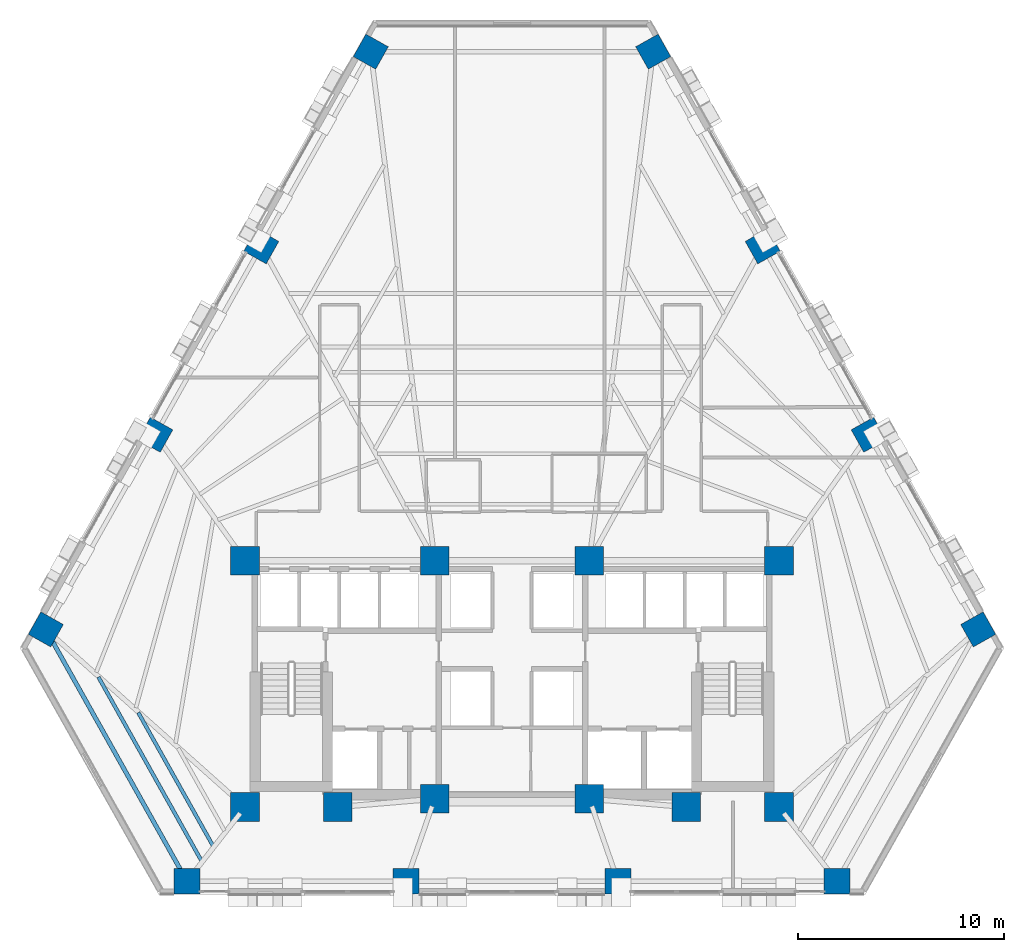
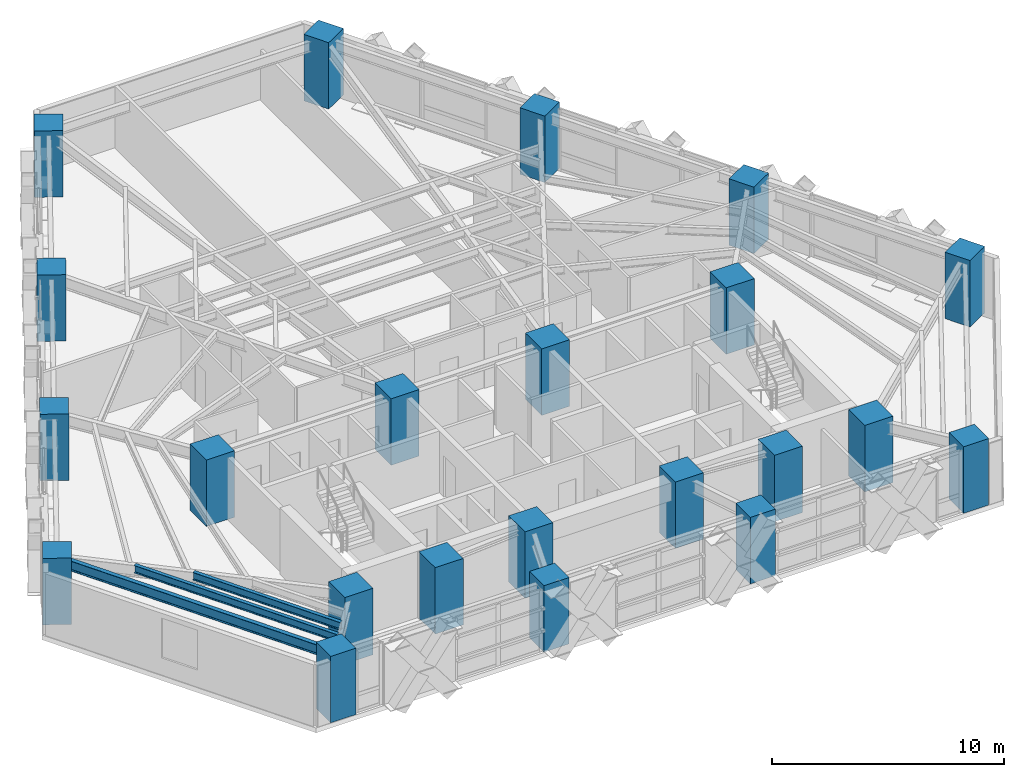
# One storey, part 1 of 13: 22 columns, 3 beams.
"""IFC4 building model written with IfcOpenShell, lengths in metres."""

import ifcopenshell
import ifcopenshell.guid

model = None  # the IFC model being written
_history = None  # IfcOwnerHistory: only IFC2X3 demands one
_inside = {}  # id of a spatial element -> (the spatial element, [elements in it])
_under = {}  # id of a project, library or spatial element -> (it, [spatial elements below it])
_declared = {}  # id of a project -> (the project, [libraries it declares])
_typed = {}  # id of a type object -> (the type object, [elements of that type])
_made_of = {}  # id of a material, layer set ... -> (it, [elements and type objects made of it])


def new_model(schema):
    """Start an empty IFC model of exactly this schema.

    Asked for "IFC4X3", IfcOpenShell would pick the latest addendum, in which some entities
    have other attributes; the version numbers below select the first issue.
    IFC2X3 requires an IfcOwnerHistory on every rooted entity: one is made here for all.
    """
    global model, _history
    if schema == "IFC4X3":
        model = ifcopenshell.file(schema_version=(4, 3, 0, 0))
    else:
        model = ifcopenshell.file(schema=schema)
    _inside.clear()
    _under.clear()
    _declared.clear()
    _typed.clear()
    _made_of.clear()
    _history = None
    if model.schema == "IFC2X3":
        org = make("IfcOrganization", Name="unknown")
        user = make(
            "IfcPersonAndOrganization",
            ThePerson=make("IfcPerson", FamilyName="unknown"),
            TheOrganization=org,
        )
        app = make(
            "IfcApplication",
            ApplicationDeveloper=org,
            Version="unknown",
            ApplicationFullName="unknown",
            ApplicationIdentifier="unknown",
        )
        _history = make(
            "IfcOwnerHistory",
            OwningUser=user,
            OwningApplication=app,
            ChangeAction="ADDED",
            CreationDate=0,
        )
    return model


def make(cls, **values):
    """One entity of the class cls with the attributes given. An attribute that is None is left unset."""
    return model.create_entity(
        cls, **{name: value for name, value in values.items() if value is not None}
    )


def rooted(cls, **values):
    """An entity with a GlobalId (a new one), such as an element, a storey or a relation."""
    return make(cls, GlobalId=ifcopenshell.guid.new(), OwnerHistory=_history, **values)


def si_unit(unit_type, name, prefix=None):
    """IfcSIUnit, for example si_unit("LENGTHUNIT", "METRE", prefix="MILLI")."""
    return make("IfcSIUnit", UnitType=unit_type, Prefix=prefix, Name=name)


def assignment(units):
    """IfcUnitAssignment: the units of a project."""
    return None if units is None else make("IfcUnitAssignment", Units=units)


def point(xyz):
    """IfcCartesianPoint."""
    return None if xyz is None else make("IfcCartesianPoint", Coordinates=xyz)


def direction(xyz):
    """IfcDirection."""
    return None if xyz is None else make("IfcDirection", DirectionRatios=xyz)


def frame(location, z_axis=None, x_axis=None):
    """IfcAxis2Placement3D, a coordinate frame: its origin and axes. An axis left out is left unset."""
    return make(
        "IfcAxis2Placement3D",
        Location=point(location),
        Axis=direction(z_axis),
        RefDirection=direction(x_axis),
    )


def frame_2d(location, x_axis=None):
    """IfcAxis2Placement2D, a coordinate frame in the plane: its origin and x axis."""
    return make(
        "IfcAxis2Placement2D", Location=point(location), RefDirection=direction(x_axis)
    )


def origin():
    """The frame at (0, 0, 0) with its axes left unset."""
    return frame((0.0, 0.0, 0.0))


def origin_2d():
    """The frame at (0, 0) in the plane with its x axis left unset."""
    return frame_2d((0.0, 0.0))


def place(relative_to, where):
    """IfcLocalPlacement: puts the frame where relative to a parent placement (None: the world)."""
    return make(
        "IfcLocalPlacement", PlacementRelTo=relative_to, RelativePlacement=where
    )


def context(
    kind, dimensions, precision=None, world=None, true_north=None, identifier=None
):
    """IfcGeometricRepresentationContext, for example the 3D "Model" context."""
    return make(
        "IfcGeometricRepresentationContext",
        ContextIdentifier=identifier,
        ContextType=kind,
        CoordinateSpaceDimension=dimensions,
        Precision=precision,
        WorldCoordinateSystem=world,
        TrueNorth=true_north,
    )


def subcontext(parent, identifier, kind, view, scale=None):
    """IfcGeometricRepresentationSubContext, for example "Body" below "Model"."""
    return make(
        "IfcGeometricRepresentationSubContext",
        ContextIdentifier=identifier,
        ContextType=kind,
        ParentContext=parent,
        TargetScale=scale,
        TargetView=view,
    )


def project(units=None, contexts=None):
    """IfcProject with its units and contexts."""
    return rooted(
        "IfcProject",
        Name="project",
        RepresentationContexts=contexts,
        UnitsInContext=assignment(units),
    )


def spatial(cls, under=None, at=None, **own):
    """A site, building, storey or space (cls), placed at a placement, below another one or the project."""
    s = rooted(cls, ObjectPlacement=at, **own)
    if under is not None:
        _under.setdefault(under.id(), (under, []))[1].append(s)
    return s


def profile(cls, at=None, kind="AREA", **sizes):
    """A parametric profile (cls). Its sizes go by their IFC names, for example OverallWidth=200.0."""
    return make(cls, ProfileType=kind, Position=at, **sizes)


def rectangle(**sizes):
    """IfcRectangleProfileDef."""
    return profile("IfcRectangleProfileDef", **sizes)


def i_section(**sizes):
    """IfcIShapeProfileDef."""
    return profile("IfcIShapeProfileDef", **sizes)


def extrude(swept, where, along, depth):
    """IfcExtrudedAreaSolid: the profile swept, set in the frame where, extruded along a direction by depth."""
    return make(
        "IfcExtrudedAreaSolid",
        SweptArea=swept,
        Position=where,
        ExtrudedDirection=direction(along),
        Depth=depth,
    )


def shape(context_of_items, identifier, shape_type, items):
    """IfcShapeRepresentation: the items that make up one representation, for example the "Body"."""
    return make(
        "IfcShapeRepresentation",
        ContextOfItems=context_of_items,
        RepresentationIdentifier=identifier,
        RepresentationType=shape_type,
        Items=items,
    )


def material(Name=None, Category=None):
    """IfcMaterial."""
    return make("IfcMaterial", Name=Name, Category=Category)


def material_profile(
    of_material, cross_section, Name=None, Category=None, Priority=None
):
    """IfcMaterialProfile: a cross section and its material."""
    return make(
        "IfcMaterialProfile",
        Name=Name,
        Material=of_material,
        Profile=cross_section,
        Priority=Priority,
        Category=Category,
    )


def profile_set(profiles, Name=None, composite=None):
    """IfcMaterialProfileSet."""
    return make(
        "IfcMaterialProfileSet",
        Name=Name,
        MaterialProfiles=profiles,
        CompositeProfile=composite,
    )


def made_of(thing, what):
    """Note that an element or type object is made of a material, layer set ...; save() writes the relation."""
    if what is not None:
        _made_of.setdefault(what.id(), (what, []))[1].append(thing)
    return thing


def type_object(cls, material=None, **own):
    """A type object (cls), such as IfcWallType, which elements share."""
    return made_of(rooted(cls, **own), material)


def element(
    cls,
    number,
    at=None,
    inside=None,
    cuts=None,
    type_object=None,
    material=None,
    context=None,
    identifier="Body",
    shape_type=None,
    held_by="IfcProductDefinitionShape",
    body=None,
    shapes=None,
    **own,
):
    """One element of the class cls, such as IfcWall. Its Tag is "e" and its number.

    at: its placement. inside: the storey or other place that contains it. cuts: it is an
    opening in that element (IfcRelVoidsElement). A single representation is given by context,
    identifier, shape_type and body (its items); several are given by shapes. held_by: the class
    of the entity that holds the representations. save() writes the other relations.
    """
    e = rooted(cls, Tag="e%d" % number, ObjectPlacement=at, **own)
    if body is not None:
        shapes = [shape(context, identifier, shape_type, body)]
    if shapes is not None:
        e.Representation = make(held_by, Representations=shapes)
    if inside is not None:
        _inside.setdefault(inside.id(), (inside, []))[1].append(e)
    if cuts is not None:
        rooted(
            "IfcRelVoidsElement", RelatingBuildingElement=cuts, RelatedOpeningElement=e
        )
    if type_object is not None:
        _typed.setdefault(type_object.id(), (type_object, []))[1].append(e)
    return made_of(e, material)


def aggregate(whole, parts):
    """IfcRelAggregates: a whole, such as a stair, and the parts it consists of."""
    return rooted("IfcRelAggregates", RelatingObject=whole, RelatedObjects=parts)


def save(model, path):
    """Write the relations noted so far, then the file.

    IfcRelAggregates (storeys below a building ...), IfcRelContainedInSpatialStructure (elements
    in a storey), IfcRelDefinesByType, IfcRelAssociatesMaterial and IfcRelDeclares: one each for
    every whole, place, type object, material and project.
    """
    for whole, parts in _under.values():
        aggregate(whole, parts)
    for where, things in _inside.values():
        rooted(
            "IfcRelContainedInSpatialStructure",
            RelatedElements=things,
            RelatingStructure=where,
        )
    for kind, things in _typed.values():
        rooted("IfcRelDefinesByType", RelatedObjects=things, RelatingType=kind)
    for what, things in _made_of.values():
        rooted("IfcRelAssociatesMaterial", RelatedObjects=things, RelatingMaterial=what)
    for by, libraries in _declared.values():
        rooted("IfcRelDeclares", RelatingContext=by, RelatedDefinitions=libraries)
    model.write(path)


model = new_model("IFC4")

# Units and contexts
model_context = context("Model", 3, precision=1e-05, world=origin(), true_north=direction((0.0, 1.0)))
body_context = subcontext(model_context, "Body", "Model", "MODEL_VIEW")
ifc_project = project(units=[si_unit("LENGTHUNIT", "METRE"), si_unit("AREAUNIT", "SQUARE_METRE"), si_unit("VOLUMEUNIT", "CUBIC_METRE"), si_unit("PLANEANGLEUNIT", "RADIAN"), si_unit("MASSUNIT", "GRAM", prefix="KILO")], contexts=[model_context])

# Site, building, storey
site_placement = place(None, origin())
site = spatial("IfcSite", under=ifc_project, at=site_placement, CompositionType="ELEMENT")
building_placement = place(site_placement, origin())
building = spatial("IfcBuilding", under=site, at=building_placement, Name="Quenlor Broadcast Tower", CompositionType="ELEMENT")
storey_placement = place(building_placement, frame((0.0, 0.0, 62.60009765625)))
storey = spatial("IfcBuildingStorey", under=building, at=storey_placement, Name="L16", CompositionType="ELEMENT", Elevation=62.60009765625)

# Columns
ifc_material_1 = material(Name="Concrete C65/80", Category="concrete")
ifc_material_profile_1 = material_profile(ifc_material_1, rectangle(XDim=1.39990234375, YDim=1.39990234375, at=origin_2d()))
ifc_profile_set_1 = profile_set([ifc_material_profile_1], Name="Concrete C65/80 RC1400x1400")
column_type_1 = type_object("IfcColumnType", Name="Core Corner Column Lower Concrete C65/80 1400", PredefinedType="COLUMN", material=ifc_profile_set_1)
for number, where, z_axis, x_axis, name in (
    (1, (-12.949951171875, -16.75, 0.0), (0.0, 0.0, 1.0), (1.0, 0.0, 0.0), "L16 Core Column CC1"),
    (2, (-8.449951171875, -16.75, 0.0), (0.0, 0.0, 1.0), (1.0, 0.0, 0.0), "L16 Core Column CC2"),
    (3, (-3.75, -16.35009765625, 0.0), (0.0, 0.0, 1.0), (1.0, 0.0, 0.0), "L16 Core Column CC3"),
    (4, (3.75, -16.35009765625, 0.0), (0.0, 0.0, 1.0), (1.0, 0.0, 0.0), "L16 Core Column CC4"),
    (5, (8.449951171875, -16.75, 0.0), (0.0, 0.0, 1.0), (1.0, 0.0, 0.0), "L16 Core Column CC5"),
    (6, (12.949951171875, -16.75, 0.0), (0.0, 0.0, 1.0), (1.0, 0.0, 0.0), "L16 Core Column CC6"),
    (7, (-12.949951171875, -4.800048828125, 0.0), (0.0, 0.0, 1.0), (1.0, 0.0, 0.0), "L16 Core Column CC7"),
    (8, (-3.75, -4.800048828125, 0.0), (0.0, 0.0, 1.0), (1.0, 0.0, 0.0), "L16 Core Column CC8"),
    (9, (3.75, -4.800048828125, 0.0), (0.0, 0.0, 1.0), (1.0, 0.0, 0.0), "L16 Core Column CC9"),
    (10, (12.949951171875, -4.800048828125, 0.0), (0.0, 0.0, 1.0), (1.0, 0.0, 0.0), "L16 Core Column CC10"),
):
    element("IfcColumn", number, at=place(storey_placement, frame(where, z_axis=z_axis, x_axis=x_axis)), inside=storey, type_object=column_type_1, Name=name, PredefinedType="COLUMN", context=body_context, shape_type="SweptSolid", body=[
        extrude(rectangle(XDim=1.39990234375, YDim=1.39990234375, at=origin_2d()), origin(), (0.0, 0.0, 1.0), 3.5),
    ])
ifc_material_2 = material(Name="Concrete C65/80", Category="concrete")
ifc_material_profile_2 = material_profile(ifc_material_2, rectangle(XDim=1.25, YDim=1.25, at=origin_2d()))
ifc_profile_set_2 = profile_set([ifc_material_profile_2], Name="Concrete C65/80 RC1250x1250")
column_type_2 = type_object("IfcColumnType", Name="Tower Perimeter Column Z1 Concrete C65/80 1250", PredefinedType="COLUMN", material=ifc_profile_set_2)
for number, where, z_axis, x_axis, name in (
    (11, (-15.76513671875, -20.35009765625, 0.0), (0.0, 0.0, 1.0), (0.0, 1.0, 0.0), "L16 Perimeter Column S1"),
    (12, (-5.140869140625, -20.35009765625, 0.0), (0.0, 0.0, 1.0), (0.0, 1.0, 0.0), "L16 Perimeter Column S2"),
    (13, (5.140869140625, -20.35009765625, 0.0), (0.0, 0.0, 1.0), (0.0, 1.0, 0.0), "L16 Perimeter Column S3"),
    (14, (15.76513671875, -20.35009765625, 0.0), (0.0, 0.0, 1.0), (0.0, 1.0, 0.0), "L16 Perimeter Column S4"),
    (15, (22.6162109375, -8.132080078125, 0.0), (0.0, 0.0, 1.0), (0.871575139605, 0.490261946333, 0.0), "L16 Perimeter Column NE1"),
    (16, (17.303955078125, 1.311767578125, 0.0), (0.0, 0.0, 1.0), (0.871575139605, 0.490261946333, 0.0), "L16 Perimeter Column NE2"),
    (17, (12.1630859375, 10.450927734375, 0.0), (0.0, 0.0, 1.0), (0.871575139605, 0.490261946333, 0.0), "L16 Perimeter Column NE3"),
    (18, (6.850830078125, 19.894775390625, 0.0), (0.0, 0.0, 1.0), (0.871575139605, 0.490261946333, 0.0), "L16 Perimeter Column NE4"),
    (19, (-6.850830078125, 19.894775390625, 0.0), (0.0, 0.0, 1.0), (-0.871575139605, 0.490261946333, 0.0), "L16 Perimeter Column NW1"),
    (20, (-12.1630859375, 10.450927734375, 0.0), (0.0, 0.0, 1.0), (-0.871575139605, 0.490261946333, 0.0), "L16 Perimeter Column NW2"),
    (21, (-17.303955078125, 1.311767578125, 0.0), (0.0, 0.0, 1.0), (-0.871575139605, 0.490261946333, 0.0), "L16 Perimeter Column NW3"),
    (22, (-22.6162109375, -8.132080078125, 0.0), (0.0, 0.0, 1.0), (-0.871575139605, 0.490261946333, 0.0), "L16 Perimeter Column NW4"),
):
    element("IfcColumn", number, at=place(storey_placement, frame(where, z_axis=z_axis, x_axis=x_axis)), inside=storey, type_object=column_type_2, Name=name, PredefinedType="COLUMN", context=body_context, shape_type="SweptSolid", body=[
        extrude(rectangle(XDim=1.25, YDim=1.25, at=origin_2d()), origin(), (0.0, 0.0, 1.0), 3.5),
    ])

# Beams
ifc_material_3 = material(Name="Steel S355", Category="steel")
ifc_material_profile_3 = material_profile(ifc_material_3, i_section(OverallWidth=0.208984375, OverallDepth=0.532958984375, WebThickness=0.01025390625, FlangeThickness=0.015625, FilletRadius=0.013916015625, at=origin_2d()))
ifc_profile_set_3 = profile_set([ifc_material_profile_3], Name="Steel S355 530UB92.4")
beam_type_1 = type_object("IfcBeamType", Name="Perimeter Spandrel Beam Z1 Steel S355 530UB92.4", PredefinedType="SPANDREL", material=ifc_profile_set_3)
beam_1_placement = place(storey_placement, frame((-22.41552734375, -8.48974609375, 2.9833984375), z_axis=(0.489090917871, -0.87223280955, 0.0), x_axis=(0.87223280955, 0.489090917871, 0.0)))
element("IfcBeam", 23, at=beam_1_placement, inside=storey, type_object=beam_type_1, Name="L16 Spandrel Beam NW4-S1", PredefinedType="SPANDREL", context=body_context, shape_type="SweptSolid", body=[
    extrude(i_section(OverallWidth=0.208984375, OverallDepth=0.532958984375, WebThickness=0.01025390625, FlangeThickness=0.015625, FilletRadius=0.013916015625, at=origin_2d()), origin(), (0.0, 0.0, 1.0), 13.187744140625),
])
ifc_material_4 = material(Name="Steel S355", Category="steel")
ifc_material_profile_4 = material_profile(ifc_material_4, i_section(OverallWidth=0.177978515625, OverallDepth=0.406494140625, WebThickness=0.0078125, FlangeThickness=0.0126953125, FilletRadius=0.011474609375, at=origin_2d()))
ifc_profile_set_4 = profile_set([ifc_material_profile_4], Name="Steel S355 410UB59.7")
beam_type_2 = type_object("IfcBeamType", Name="Tower Composite Joist Z1 Steel S355 410UB59.7", PredefinedType="JOIST", material=ifc_profile_set_4)
beam_2_placement = place(storey_placement, frame((-14.50927734375, -18.624267578125, 3.046630859375), z_axis=(-0.489088249322, 0.872234305892, 0.0), x_axis=(-0.872234305892, -0.489088249322, 0.0)))
element("IfcBeam", 24, at=beam_2_placement, inside=storey, type_object=beam_type_2, Name="L16 Secondary Composite Joist 20", PredefinedType="JOIST", context=body_context, shape_type="SweptSolid", body=[
    extrude(i_section(OverallWidth=0.177978515625, OverallDepth=0.406494140625, WebThickness=0.0078125, FlangeThickness=0.0126953125, FilletRadius=0.011474609375, at=origin_2d()), origin(), (0.0, 0.0, 1.0), 7.404296875),
])
beam_3_placement = place(storey_placement, frame((-15.072265625, -19.34423828125, 3.046630859375), z_axis=(-0.489081877778, 0.872237878579, 0.0), x_axis=(-0.872237878579, -0.489081877778, 0.0)))
element("IfcBeam", 25, at=beam_3_placement, inside=storey, type_object=beam_type_2, Name="L16 Secondary Composite Joist 21", PredefinedType="JOIST", context=body_context, shape_type="SweptSolid", body=[
    extrude(i_section(OverallWidth=0.177978515625, OverallDepth=0.406494140625, WebThickness=0.0078125, FlangeThickness=0.0126953125, FilletRadius=0.011474609375, at=origin_2d()), origin(), (0.0, 0.0, 1.0), 10.205810546875),
])

save(model, "model.ifc")
